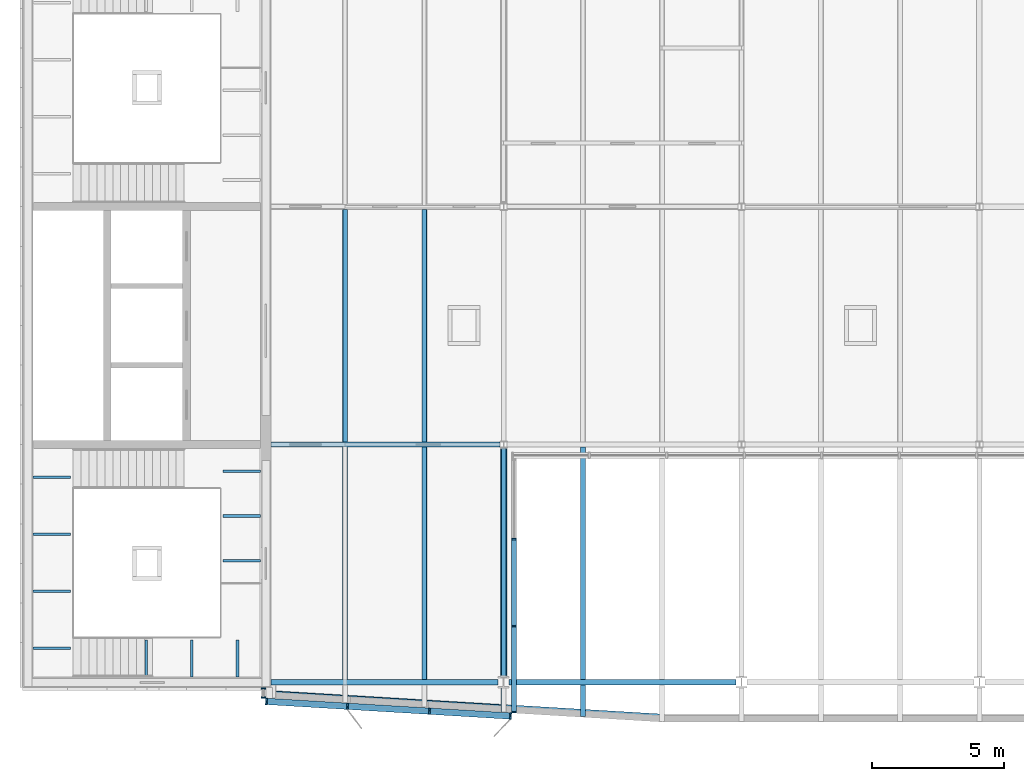
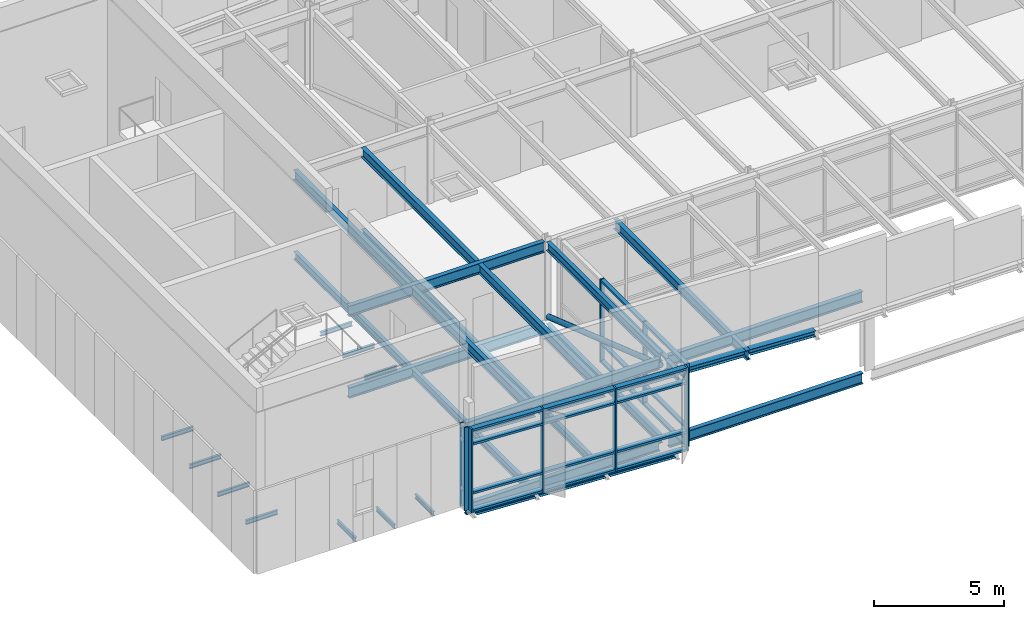
# One storey, part 2 of 23: 37 beams, 30 members, 3 elements without a shape of their own.
"""IFC4 building model written with IfcOpenShell, lengths in metres."""

from ifc_helpers import new_model, si_unit, direction, frame, origin, origin_2d, place, context, subcontext, project, spatial, rectangle, hollow_circle, i_section, extrude, material, material_profile, profile_set, type_object, element, aggregate, save


model = new_model("IFC4")

# Units and contexts
model_context = context("Model", 3, precision=1e-05, world=origin(), true_north=direction((0.0, 1.0)))
body_context = subcontext(model_context, "Body", "Model", "MODEL_VIEW")
ifc_project = project(units=[si_unit("LENGTHUNIT", "METRE"), si_unit("AREAUNIT", "SQUARE_METRE"), si_unit("VOLUMEUNIT", "CUBIC_METRE"), si_unit("PLANEANGLEUNIT", "RADIAN"), si_unit("MASSUNIT", "GRAM", prefix="KILO")], contexts=[model_context])

# Site, building, storey
site_placement = place(None, origin())
site = spatial("IfcSite", under=ifc_project, at=site_placement, CompositionType="ELEMENT")
building_placement = place(site_placement, origin())
building = spatial("IfcBuilding", under=site, at=building_placement, Name="Azimuth Sports and Learning Centre", CompositionType="ELEMENT")
storey_placement = place(building_placement, frame((0.0, 0.0, 75.300048828125)))
storey = spatial("IfcBuildingStorey", under=building, at=storey_placement, Name="L17", CompositionType="ELEMENT", Elevation=75.300048828125)

# Beams
ifc_material_1 = material(Name="Steel S355", Category="steel")
ifc_material_profile_1 = material_profile(ifc_material_1, i_section(OverallWidth=0.10009765625, OverallDepth=0.199951171875, WebThickness=0.005615234375, FlangeThickness=0.008544921875, FilletRadius=0.011962890625, at=origin_2d()), Name="IPE 200")
ifc_profile_set_1 = profile_set([ifc_material_profile_1], Name="Steel S355")
beam_type_1 = type_object("IfcBeamType", Name="Beam IPE 200", PredefinedType="BEAM", material=ifc_profile_set_1)
for number, where, z_axis, x_axis, name in (
    (1, (58.473388671875, 90.199951171875, -0.300048828125), (0.0, 1.0, 0.0), (-1.0, 0.0, 0.0), "Landing bracket W1 L17 169"),
    (2, (60.199951171875, 90.199951171875, -0.300048828125), (0.0, 1.0, 0.0), (-1.0, 0.0, 0.0), "Landing bracket W1 L17 170"),
    (3, (61.9267578125, 90.199951171875, -0.300048828125), (0.0, 1.0, 0.0), (-1.0, 0.0, 0.0), "Landing bracket W1 L17 171"),
    (4, (54.199951171875, 91.288818359375, 1.349853515625), (1.0, 0.0, 0.0), (0.0, 1.0, 0.0), "Landing bracket W1 L17 172"),
    (5, (54.199951171875, 93.4462890625, 1.349853515625), (1.0, 0.0, 0.0), (0.0, 1.0, 0.0), "Landing bracket W1 L17 173"),
    (6, (54.199951171875, 95.603759765625, 1.349853515625), (1.0, 0.0, 0.0), (0.0, 1.0, 0.0), "Landing bracket W1 L17 174"),
    (7, (54.199951171875, 97.76123046875, 1.349853515625), (1.0, 0.0, 0.0), (0.0, 1.0, 0.0), "Landing bracket W1 L17 175"),
    (8, (62.800048828125, 94.598388671875, 3.599853515625), (-1.0, 0.0, 0.0), (0.0, -1.0, 0.0), "Landing bracket W1 L17 176"),
    (9, (62.800048828125, 96.294921875, 3.599853515625), (-1.0, 0.0, 0.0), (0.0, -1.0, 0.0), "Landing bracket W1 L17 177"),
    (10, (62.800048828125, 97.99169921875, 3.599853515625), (-1.0, 0.0, 0.0), (0.0, -1.0, 0.0), "Landing bracket W1 L17 178"),
):
    element("IfcBeam", number, at=place(storey_placement, frame(where, z_axis=z_axis, x_axis=x_axis)), inside=storey, type_object=beam_type_1, Name=name, PredefinedType="BEAM", context=body_context, shape_type="SweptSolid", body=[
        extrude(i_section(OverallWidth=0.10009765625, OverallDepth=0.199951171875, WebThickness=0.005615234375, FlangeThickness=0.008544921875, FilletRadius=0.011962890625, at=origin_2d()), origin(), (0.0, 0.0, 1.0), 1.41015625),
    ])
ifc_material_2 = material(Name="Steel S355", Category="steel")
ifc_material_profile_2 = material_profile(ifc_material_2, i_section(OverallWidth=0.179931640625, OverallDepth=0.39990234375, WebThickness=0.008544921875, FlangeThickness=0.013427734375, FilletRadius=0.02099609375, at=origin_2d()), Name="IPE 400")
ifc_profile_set_2 = profile_set([ifc_material_profile_2], Name="Steel S355")
beam_type_2 = type_object("IfcBeamType", Name="Beam IPE 400", PredefinedType="BEAM", material=ifc_profile_set_2)
for number, where, z_axis, x_axis, name in (
    (11, (72.0, 90.217529296875, -0.330078125), (0.0, 1.0, 0.0), (-1.0, 0.0, 0.0), "Tower tie"),
    (12, (72.0, 90.217529296875, 3.5), (0.0, 1.0, 0.0), (-1.0, 0.0, 0.0), "Roof tie"),
):
    element("IfcBeam", number, at=place(storey_placement, frame(where, z_axis=z_axis, x_axis=x_axis)), inside=storey, type_object=beam_type_2, Name=name, PredefinedType="BEAM", context=body_context, shape_type="SweptSolid", body=[
        extrude(i_section(OverallWidth=0.179931640625, OverallDepth=0.39990234375, WebThickness=0.008544921875, FlangeThickness=0.013427734375, FilletRadius=0.02099609375, at=origin_2d()), origin(), (0.0, 0.0, 1.0), 8.652587890625),
    ])
ifc_material_3 = material(Name="Steel S355", Category="steel")
ifc_material_profile_3 = material_profile(ifc_material_3, i_section(OverallWidth=0.199951171875, OverallDepth=0.5, WebThickness=0.01025390625, FlangeThickness=0.01611328125, FilletRadius=0.02099609375, at=origin_2d()), Name="IPE 500")
ifc_profile_set_3 = profile_set([ifc_material_profile_3], Name="Steel S355")
beam_type_3 = type_object("IfcBeamType", Name="Beam IPE 500", PredefinedType="BEAM", material=ifc_profile_set_3)
beam_1_placement = place(storey_placement, frame((63.199951171875, 90.0, -0.380126953125), z_axis=(1.0, 0.0, 0.0), x_axis=(0.0, 1.0, 0.0)))
element("IfcBeam", 13, at=beam_1_placement, inside=storey, type_object=beam_type_3, Name="Tower girder L17", PredefinedType="BEAM", context=body_context, shape_type="SweptSolid", body=[
    extrude(i_section(OverallWidth=0.199951171875, OverallDepth=0.5, WebThickness=0.01025390625, FlangeThickness=0.01611328125, FilletRadius=0.02099609375, at=origin_2d()), origin(), (0.0, 0.0, 1.0), 8.593994140625),
])
beam_2_placement = place(storey_placement, frame((72.2060546875, 90.0, -0.380126953125), z_axis=(1.0, 0.0, 0.0), x_axis=(0.0, 1.0, 0.0)))
element("IfcBeam", 14, at=beam_2_placement, inside=storey, type_object=beam_type_3, Name="Tower girder L17", PredefinedType="BEAM", context=body_context, shape_type="SweptSolid", body=[
    extrude(i_section(OverallWidth=0.199951171875, OverallDepth=0.5, WebThickness=0.01025390625, FlangeThickness=0.01611328125, FilletRadius=0.02099609375, at=origin_2d()), origin(), (0.0, 0.0, 1.0), 8.587890625),
])
beam_3_placement = place(storey_placement, frame((63.199951171875, 99.0, -0.380126953125), z_axis=(1.0, 0.0, 0.0), x_axis=(0.0, 1.0, 0.0)))
element("IfcBeam", 15, at=beam_3_placement, inside=storey, type_object=beam_type_3, Name="Tower girder L17", PredefinedType="BEAM", context=body_context, shape_type="SweptSolid", body=[
    extrude(i_section(OverallWidth=0.199951171875, OverallDepth=0.5, WebThickness=0.01025390625, FlangeThickness=0.01611328125, FilletRadius=0.02099609375, at=origin_2d()), origin(), (0.0, 0.0, 1.0), 8.670166015625),
])
beam_4_placement = place(storey_placement, frame((63.199951171875, 90.0, 3.449951171875), z_axis=(1.0, 0.0, 0.0), x_axis=(0.0, 1.0, 0.0)))
element("IfcBeam", 16, at=beam_4_placement, inside=storey, type_object=beam_type_3, Name="Roof girder", PredefinedType="BEAM", context=body_context, shape_type="SweptSolid", body=[
    extrude(i_section(OverallWidth=0.199951171875, OverallDepth=0.5, WebThickness=0.01025390625, FlangeThickness=0.01611328125, FilletRadius=0.02099609375, at=origin_2d()), origin(), (0.0, 0.0, 1.0), 8.593994140625),
])
beam_5_placement = place(storey_placement, frame((72.2060546875, 90.0, 3.449951171875), z_axis=(1.0, 0.0, 0.0), x_axis=(0.0, 1.0, 0.0)))
element("IfcBeam", 17, at=beam_5_placement, inside=storey, type_object=beam_type_3, Name="Roof girder", PredefinedType="BEAM", context=body_context, shape_type="SweptSolid", body=[
    extrude(i_section(OverallWidth=0.199951171875, OverallDepth=0.5, WebThickness=0.01025390625, FlangeThickness=0.01611328125, FilletRadius=0.02099609375, at=origin_2d()), origin(), (0.0, 0.0, 1.0), 8.587890625),
])
beam_6_placement = place(storey_placement, frame((63.199951171875, 99.0, 3.449951171875), z_axis=(1.0, 0.0, 0.0), x_axis=(0.0, 1.0, 0.0)))
element("IfcBeam", 18, at=beam_6_placement, inside=storey, type_object=beam_type_3, Name="Roof girder", PredefinedType="BEAM", context=body_context, shape_type="SweptSolid", body=[
    extrude(i_section(OverallWidth=0.199951171875, OverallDepth=0.5, WebThickness=0.01025390625, FlangeThickness=0.01611328125, FilletRadius=0.02099609375, at=origin_2d()), origin(), (0.0, 0.0, 1.0), 8.670166015625),
])

# Member
ifc_material_4 = material(Name="Steel S355", Category="steel")
ifc_material_profile_4 = material_profile(ifc_material_4, hollow_circle(Radius=0.122314453125, WallThickness=0.012451171875, at=origin_2d()), Name="CHS 244.5x12.5")
ifc_profile_set_4 = profile_set([ifc_material_profile_4], Name="Steel S355")
member_type_1 = type_object("IfcMemberType", Name="Brace CHS 244.5x12.5", PredefinedType="BRACE", material=ifc_profile_set_4)
member_1_placement = place(storey_placement, frame((72.0, 90.2373046875, 3.130859375), z_axis=(0.0, 0.945646677599, -0.325195881194), x_axis=(-1.0, 0.0, 0.0)))
element("IfcMember", 19, at=member_1_placement, inside=storey, type_object=member_type_1, Name="Tower brace 9 L17", PredefinedType="BRACE", context=body_context, shape_type="SweptSolid", body=[
    extrude(hollow_circle(Radius=0.122314453125, WallThickness=0.012451171875, at=origin_2d()), origin(), (0.0, 0.0, 1.0), 9.108154296875),
])

# Beams
ifc_material_5 = material(Name="Steel S355", Category="steel")
ifc_material_profile_5 = material_profile(ifc_material_5, i_section(OverallWidth=0.18994140625, OverallDepth=0.449951171875, WebThickness=0.009521484375, FlangeThickness=0.0146484375, FilletRadius=0.02099609375, at=origin_2d()), Name="IPE 450")
ifc_profile_set_5 = profile_set([ifc_material_profile_5], Name="Steel S355")
beam_type_4 = type_object("IfcBeamType", Name="Cantilever stub IPE 450", PredefinedType="JOIST", material=ifc_profile_set_5)
beam_7_placement = place(storey_placement, frame((72.0, 89.782470703125, 3.474853515625), z_axis=(0.0, -1.0, 0.0), x_axis=(1.0, 0.0, 0.0)))
element("IfcBeam", 20, at=beam_7_placement, inside=storey, type_object=beam_type_4, Name="Roof cantilever stub", PredefinedType="JOIST", context=body_context, shape_type="SweptSolid", body=[
    extrude(i_section(OverallWidth=0.18994140625, OverallDepth=0.449951171875, WebThickness=0.009521484375, FlangeThickness=0.0146484375, FilletRadius=0.02099609375, at=origin_2d()), origin(), (0.0, 0.0, 1.0), 0.902587890625),
])
beam_8_placement = place(storey_placement, frame((75.0, 89.89990234375, 3.474853515625), z_axis=(0.0, -1.0, 0.0), x_axis=(1.0, 0.0, 0.0)))
element("IfcBeam", 21, at=beam_8_placement, inside=storey, type_object=beam_type_4, Name="Roof cantilever stub", PredefinedType="JOIST", context=body_context, shape_type="SweptSolid", body=[
    extrude(i_section(OverallWidth=0.18994140625, OverallDepth=0.449951171875, WebThickness=0.009521484375, FlangeThickness=0.0146484375, FilletRadius=0.02099609375, at=origin_2d()), origin(), (0.0, 0.0, 1.0), 1.199951171875),
])
ifc_material_6 = material(Name="Steel S355", Category="steel")
ifc_material_profile_6 = material_profile(ifc_material_6, i_section(OverallWidth=0.260009765625, OverallDepth=0.25, WebThickness=0.007568359375, FlangeThickness=0.012451171875, FilletRadius=0.02392578125, at=origin_2d()), Name="HEA 260")
ifc_profile_set_6 = profile_set([ifc_material_profile_6], Name="Steel S355")
beam_type_5 = type_object("IfcBeamType", Name="Edge beam HEA 260", PredefinedType="SPANDREL", material=ifc_profile_set_6)
beam_9_placement = place(storey_placement, frame((63.3701171875, 89.52783203125, -0.255126953125), z_axis=(0.998201638043, -0.05994572385, 0.0), x_axis=(0.05994572385, 0.998201638043, 0.0)))
element("IfcBeam", 22, at=beam_9_placement, inside=storey, type_object=beam_type_5, Name="Tower edge beam", PredefinedType="SPANDREL", context=body_context, shape_type="SweptSolid", body=[
    extrude(i_section(OverallWidth=0.260009765625, OverallDepth=0.25, WebThickness=0.007568359375, FlangeThickness=0.012451171875, FilletRadius=0.02392578125, at=origin_2d()), origin(), (0.0, 0.0, 1.0), 2.549560546875),
])
for number, where, z_axis, x_axis, name in (
    (23, (66.0849609375, 89.364990234375, -0.255126953125), (0.998202373506, -0.059933475842, 0.0), (0.059933475842, 0.998202373506, 0.0), "Tower edge beam"),
    (24, (69.0849609375, 89.184814453125, -0.255126953125), (0.998207521518, -0.059847673176, 0.0), (0.059847673176, 0.998207521518, 0.0), "Tower edge beam"),
):
    element("IfcBeam", number, at=place(storey_placement, frame(where, z_axis=z_axis, x_axis=x_axis)), inside=storey, type_object=beam_type_5, Name=name, PredefinedType="SPANDREL", context=body_context, shape_type="SweptSolid", body=[
        extrude(i_section(OverallWidth=0.260009765625, OverallDepth=0.25, WebThickness=0.007568359375, FlangeThickness=0.012451171875, FilletRadius=0.02392578125, at=origin_2d()), origin(), (0.0, 0.0, 1.0), 2.835205078125),
    ])
ifc_material_7 = material(Name="Steel S355", Category="steel")
ifc_material_profile_7 = material_profile(ifc_material_7, i_section(OverallWidth=0.280029296875, OverallDepth=0.27001953125, WebThickness=0.008056640625, FlangeThickness=0.012939453125, FilletRadius=0.02392578125, at=origin_2d()), Name="HEA 280")
ifc_profile_set_7 = profile_set([ifc_material_profile_7], Name="Steel S355")
beam_type_6 = type_object("IfcBeamType", Name="Edge beam HEA 280", PredefinedType="SPANDREL", material=ifc_profile_set_7)
beam_10_placement = place(storey_placement, frame((63.389892578125, 89.53662109375, 3.56494140625), z_axis=(0.998205540535, -0.059880705111, 0.0), x_axis=(0.059880705111, 0.998205540535, 0.0)))
element("IfcBeam", 25, at=beam_10_placement, inside=storey, type_object=beam_type_6, Name="Roof edge beam", PredefinedType="SPANDREL", context=body_context, shape_type="SweptSolid", body=[
    extrude(i_section(OverallWidth=0.280029296875, OverallDepth=0.27001953125, WebThickness=0.008056640625, FlangeThickness=0.012939453125, FilletRadius=0.02392578125, at=origin_2d()), origin(), (0.0, 0.0, 1.0), 2.519775390625),
])
for number, where, z_axis, x_axis, name in (
    (26, (66.094970703125, 89.374267578125, 3.56494140625), (0.99820795503, -0.059840442135, 0.0), (0.059840442135, 0.99820795503, 0.0), "Roof edge beam"),
    (27, (69.094970703125, 89.1943359375, 3.56494140625), (0.998202770938, -0.059926856187, 0.0), (0.059926856187, 0.998202770938, 0.0), "Roof edge beam"),
    (28, (72.094970703125, 89.014404296875, 3.56494140625), (0.998202770938, -0.059926856187, 0.0), (0.059926856187, 0.998202770938, 0.0), "Roof edge beam"),
    (29, (75.094970703125, 88.834228515625, 3.56494140625), (0.99820795503, -0.059840442135, 0.0), (0.059840442135, 0.99820795503, 0.0), "Roof edge beam"),
):
    element("IfcBeam", number, at=place(storey_placement, frame(where, z_axis=z_axis, x_axis=x_axis)), inside=storey, type_object=beam_type_6, Name=name, PredefinedType="SPANDREL", context=body_context, shape_type="SweptSolid", body=[
        extrude(i_section(OverallWidth=0.280029296875, OverallDepth=0.27001953125, WebThickness=0.008056640625, FlangeThickness=0.012939453125, FilletRadius=0.02392578125, at=origin_2d()), origin(), (0.0, 0.0, 1.0), 2.815185546875),
    ])
ifc_material_8 = material(Name="Steel S355", Category="steel")
ifc_material_profile_8 = material_profile(ifc_material_8, i_section(OverallWidth=0.169921875, OverallDepth=0.360107421875, WebThickness=0.008056640625, FlangeThickness=0.0126953125, FilletRadius=0.01806640625, at=origin_2d()), Name="IPE 360")
ifc_profile_set_8 = profile_set([ifc_material_profile_8], Name="Steel S355")
beam_type_7 = type_object("IfcBeamType", Name="Joist IPE 360", PredefinedType="JOIST", material=ifc_profile_set_8)
for number, where, z_axis, x_axis, name in (
    (30, (66.0, 90.10009765625, -0.31005859375), (0.0, 1.0, 0.0), (-1.0, 0.0, 0.0), "Tower joist"),
    (31, (66.0, 99.10009765625, -0.31005859375), (0.0, 1.0, 0.0), (-1.0, 0.0, 0.0), "Tower joist"),
    (32, (69.0, 90.10009765625, -0.31005859375), (0.0, 1.0, 0.0), (-1.0, 0.0, 0.0), "Tower joist"),
    (33, (69.0, 99.10009765625, -0.31005859375), (0.0, 1.0, 0.0), (-1.0, 0.0, 0.0), "Tower joist"),
):
    element("IfcBeam", number, at=place(storey_placement, frame(where, z_axis=z_axis, x_axis=x_axis)), inside=storey, type_object=beam_type_7, Name=name, PredefinedType="JOIST", context=body_context, shape_type="SweptSolid", body=[
        extrude(i_section(OverallWidth=0.169921875, OverallDepth=0.360107421875, WebThickness=0.008056640625, FlangeThickness=0.0126953125, FilletRadius=0.01806640625, at=origin_2d()), origin(), (0.0, 0.0, 1.0), 8.7998046875),
    ])
ifc_material_9 = material(Name="Steel S355", Category="steel")
ifc_material_profile_9 = material_profile(ifc_material_9, i_section(OverallWidth=0.18994140625, OverallDepth=0.449951171875, WebThickness=0.009521484375, FlangeThickness=0.0146484375, FilletRadius=0.02099609375, at=origin_2d()), Name="IPE 450")
ifc_profile_set_9 = profile_set([ifc_material_profile_9], Name="Steel S355")
beam_type_8 = type_object("IfcBeamType", Name="Joist IPE 450", PredefinedType="JOIST", material=ifc_profile_set_9)
for number, where, z_axis, x_axis, name in (
    (34, (66.0, 90.10009765625, 3.474853515625), (0.0, 1.0, 0.0), (-1.0, 0.0, 0.0), "Roof joist"),
    (35, (66.0, 99.10009765625, 3.474853515625), (0.0, 1.0, 0.0), (-1.0, 0.0, 0.0), "Roof joist"),
    (36, (69.0, 90.10009765625, 3.474853515625), (0.0, 1.0, 0.0), (-1.0, 0.0, 0.0), "Roof joist"),
    (37, (69.0, 99.10009765625, 3.474853515625), (0.0, 1.0, 0.0), (-1.0, 0.0, 0.0), "Roof joist"),
    (38, (75.0, 90.10009765625, 3.474853515625), (0.0, 1.0, 0.0), (-1.0, 0.0, 0.0), "Roof joist"),
):
    element("IfcBeam", number, at=place(storey_placement, frame(where, z_axis=z_axis, x_axis=x_axis)), inside=storey, type_object=beam_type_8, Name=name, PredefinedType="JOIST", context=body_context, shape_type="SweptSolid", body=[
        extrude(i_section(OverallWidth=0.18994140625, OverallDepth=0.449951171875, WebThickness=0.009521484375, FlangeThickness=0.0146484375, FilletRadius=0.02099609375, at=origin_2d()), origin(), (0.0, 0.0, 1.0), 8.7998046875),
    ])

# Curtain wall, members
ifc_material_10 = material(Name="Aluminium and glass", Category="aluminium")
curtain_wall_type_1 = type_object("IfcCurtainWallType", Name="Curtain wall tower return 180", PredefinedType="NOTDEFINED", material=ifc_material_10)
curtain_wall_1_placement = place(storey_placement, origin())
curtain_wall_1 = element("IfcCurtainWall", 39, at=curtain_wall_1_placement, inside=storey, type_object=curtain_wall_type_1, Name="Curtain wall CW17-001", PredefinedType="NOTDEFINED")
ifc_material_11 = material(Name="Aluminium", Category="aluminium")
ifc_material_profile_10 = material_profile(ifc_material_11, rectangle(XDim=0.179931640625, YDim=0.06005859375, at=origin_2d()), Name="Mullion 60x180")
ifc_profile_set_10 = profile_set([ifc_material_profile_10], Name="Aluminium")
member_type_2 = type_object("IfcMemberType", Name="Mullion 60x180", PredefinedType="MULLION", material=ifc_profile_set_10)
member_2_placement = place(storey_placement, frame((62.909912109375, 89.77001953125, 0.0), z_axis=(0.0, 0.0, 1.0), x_axis=(1.0, 0.0, 0.0)))
member_2 = element("IfcMember", 40, at=member_2_placement, type_object=member_type_2, Name="CW17-001 mullion 1", PredefinedType="MULLION", context=body_context, shape_type="SweptSolid", body=[
    extrude(rectangle(XDim=0.179931640625, YDim=0.06005859375, at=origin_2d()), origin(), (0.0, 0.0, 1.0), 3.89990234375),
])
member_3_placement = place(storey_placement, frame((62.909912109375, 89.429931640625, 0.0), z_axis=(0.0, 0.0, 1.0), x_axis=(1.0, 0.0, 0.0)))
member_3 = element("IfcMember", 41, at=member_3_placement, type_object=member_type_2, Name="CW17-001 mullion 2", PredefinedType="MULLION", context=body_context, shape_type="SweptSolid", body=[
    extrude(rectangle(XDim=0.179931640625, YDim=0.06005859375, at=origin_2d()), origin(), (0.0, 0.0, 1.0), 3.89990234375),
])
aggregate(curtain_wall_1, [member_2, member_3])

curtain_wall_2_placement = place(storey_placement, origin())
curtain_wall_2 = element("IfcCurtainWall", 42, at=curtain_wall_2_placement, inside=storey, type_object=curtain_wall_type_1, Name="Curtain wall CW17-003", PredefinedType="NOTDEFINED")
member_4_placement = place(storey_placement, frame((72.389892578125, 88.8720703125, 0.0), z_axis=(0.0, 0.0, 1.0), x_axis=(-1.0, 0.0, 0.0)))
member_4 = element("IfcMember", 43, at=member_4_placement, type_object=member_type_2, Name="CW17-003 mullion 1", PredefinedType="MULLION", context=body_context, shape_type="SweptSolid", body=[
    extrude(rectangle(XDim=0.179931640625, YDim=0.06005859375, at=origin_2d()), origin(), (0.0, 0.0, 1.0), 3.89990234375),
])
member_5_placement = place(storey_placement, frame((72.389892578125, 92.1279296875, 0.0), z_axis=(0.0, 0.0, 1.0), x_axis=(-1.0, 0.0, 0.0)))
member_5 = element("IfcMember", 44, at=member_5_placement, type_object=member_type_2, Name="CW17-003 mullion 2", PredefinedType="MULLION", context=body_context, shape_type="SweptSolid", body=[
    extrude(rectangle(XDim=0.179931640625, YDim=0.06005859375, at=origin_2d()), origin(), (0.0, 0.0, 1.0), 3.89990234375),
])
member_6_placement = place(storey_placement, frame((72.389892578125, 95.4140625, 0.0), z_axis=(0.0, 0.0, 1.0), x_axis=(-1.0, 0.0, 0.0)))
member_6 = element("IfcMember", 45, at=member_6_placement, type_object=member_type_2, Name="CW17-003 mullion 3", PredefinedType="MULLION", context=body_context, shape_type="SweptSolid", body=[
    extrude(rectangle(XDim=0.179931640625, YDim=0.06005859375, at=origin_2d()), origin(), (0.0, 0.0, 1.0), 3.89990234375),
])

ifc_material_12 = material(Name="Aluminium and glass", Category="aluminium")
curtain_wall_type_2 = type_object("IfcCurtainWallType", Name="Curtain wall tower south 240", PredefinedType="NOTDEFINED", material=ifc_material_12)
curtain_wall_3_placement = place(storey_placement, origin())
curtain_wall_3 = element("IfcCurtainWall", 46, at=curtain_wall_3_placement, inside=storey, type_object=curtain_wall_type_2, Name="Curtain wall CW17-002", PredefinedType="NOTDEFINED")
ifc_material_13 = material(Name="Aluminium", Category="aluminium")
ifc_material_profile_11 = material_profile(ifc_material_13, rectangle(XDim=0.239990234375, YDim=0.070068359375, at=origin_2d()), Name="Mullion 70x240")
ifc_profile_set_11 = profile_set([ifc_material_profile_11], Name="Aluminium")
member_type_3 = type_object("IfcMemberType", Name="Mullion 70x240", PredefinedType="MULLION", material=ifc_profile_set_11)
member_7_placement = place(storey_placement, frame((63.02783203125, 89.278076171875, 0.0), z_axis=(0.0, 0.0, 1.0), x_axis=(0.059891991812, 0.998204863401, 0.0)))
member_7 = element("IfcMember", 47, at=member_7_placement, type_object=member_type_3, Name="CW17-002 mullion 1", PredefinedType="MULLION", context=body_context, shape_type="SweptSolid", body=[
    extrude(rectangle(XDim=0.239990234375, YDim=0.070068359375, at=origin_2d()), origin(), (0.0, 0.0, 1.0), 3.89990234375),
])
member_8_placement = place(storey_placement, frame((66.0927734375, 89.09423828125, 0.0), z_axis=(0.0, 0.0, 1.0), x_axis=(0.059891991812, 0.998204863401, 0.0)))
member_8 = element("IfcMember", 48, at=member_8_placement, type_object=member_type_3, Name="CW17-002 mullion 2", PredefinedType="MULLION", context=body_context, shape_type="SweptSolid", body=[
    extrude(rectangle(XDim=0.239990234375, YDim=0.070068359375, at=origin_2d()), origin(), (0.0, 0.0, 1.0), 3.89990234375),
])
member_9_placement = place(storey_placement, frame((69.19287109375, 88.908203125, 0.0), z_axis=(0.0, 0.0, 1.0), x_axis=(0.059891991812, 0.998204863401, 0.0)))
member_9 = element("IfcMember", 49, at=member_9_placement, type_object=member_type_3, Name="CW17-002 mullion 3", PredefinedType="MULLION", context=body_context, shape_type="SweptSolid", body=[
    extrude(rectangle(XDim=0.239990234375, YDim=0.070068359375, at=origin_2d()), origin(), (0.0, 0.0, 1.0), 3.89990234375),
])
member_10_placement = place(storey_placement, frame((72.2578125, 88.724365234375, 0.0), z_axis=(0.0, 0.0, 1.0), x_axis=(0.059891991812, 0.998204863401, 0.0)))
member_10 = element("IfcMember", 50, at=member_10_placement, type_object=member_type_3, Name="CW17-002 mullion 4", PredefinedType="MULLION", context=body_context, shape_type="SweptSolid", body=[
    extrude(rectangle(XDim=0.239990234375, YDim=0.070068359375, at=origin_2d()), origin(), (0.0, 0.0, 1.0), 3.89990234375),
])

# Member
ifc_material_14 = material(Name="Aluminium", Category="aluminium")
ifc_material_profile_12 = material_profile(ifc_material_14, rectangle(XDim=0.179931640625, YDim=0.10009765625, at=origin_2d()), Name="Transom 100x180")
ifc_profile_set_12 = profile_set([ifc_material_profile_12], Name="Aluminium")
member_type_4 = type_object("IfcMemberType", Name="Transom 100x180", PredefinedType="USERDEFINED", material=ifc_profile_set_12)
member_11_placement = place(storey_placement, frame((72.389892578125, 88.902099609375, 0.050048828125), z_axis=(0.0, 1.0, 0.0), x_axis=(-1.0, 0.0, 0.0)))
member_11 = element("IfcMember", 51, at=member_11_placement, type_object=member_type_4, Name="CW17-003 transom 1.1", ObjectType="TRANSOM", PredefinedType="USERDEFINED", context=body_context, shape_type="SweptSolid", body=[
    extrude(rectangle(XDim=0.179931640625, YDim=0.10009765625, at=origin_2d()), origin(), (0.0, 0.0, 1.0), 3.19580078125),
])

member_12_placement = place(storey_placement, frame((72.389892578125, 88.902099609375, 0.89990234375), z_axis=(0.0, 1.0, 0.0), x_axis=(-1.0, 0.0, 0.0)))
member_12 = element("IfcMember", 52, at=member_12_placement, type_object=member_type_4, Name="CW17-003 transom 1.2", ObjectType="TRANSOM", PredefinedType="USERDEFINED", context=body_context, shape_type="SweptSolid", body=[
    extrude(rectangle(XDim=0.179931640625, YDim=0.10009765625, at=origin_2d()), origin(), (0.0, 0.0, 1.0), 3.19580078125),
])

member_13_placement = place(storey_placement, frame((72.389892578125, 88.902099609375, 3.199951171875), z_axis=(0.0, 1.0, 0.0), x_axis=(-1.0, 0.0, 0.0)))
member_13 = element("IfcMember", 53, at=member_13_placement, type_object=member_type_4, Name="CW17-003 transom 1.3", ObjectType="TRANSOM", PredefinedType="USERDEFINED", context=body_context, shape_type="SweptSolid", body=[
    extrude(rectangle(XDim=0.179931640625, YDim=0.10009765625, at=origin_2d()), origin(), (0.0, 0.0, 1.0), 3.19580078125),
])

member_14_placement = place(storey_placement, frame((72.389892578125, 88.902099609375, 3.849853515625), z_axis=(0.0, 1.0, 0.0), x_axis=(-1.0, 0.0, 0.0)))
member_14 = element("IfcMember", 54, at=member_14_placement, type_object=member_type_4, Name="CW17-003 transom 1.4", ObjectType="TRANSOM", PredefinedType="USERDEFINED", context=body_context, shape_type="SweptSolid", body=[
    extrude(rectangle(XDim=0.179931640625, YDim=0.10009765625, at=origin_2d()), origin(), (0.0, 0.0, 1.0), 3.19580078125),
])

member_15_placement = place(storey_placement, frame((72.389892578125, 92.157958984375, 0.050048828125), z_axis=(0.0, 1.0, 0.0), x_axis=(-1.0, 0.0, 0.0)))
member_15 = element("IfcMember", 55, at=member_15_placement, type_object=member_type_4, Name="CW17-003 transom 2.1", ObjectType="TRANSOM", PredefinedType="USERDEFINED", context=body_context, shape_type="SweptSolid", body=[
    extrude(rectangle(XDim=0.179931640625, YDim=0.10009765625, at=origin_2d()), origin(), (0.0, 0.0, 1.0), 3.22607421875),
])

member_16_placement = place(storey_placement, frame((72.389892578125, 92.157958984375, 0.89990234375), z_axis=(0.0, 1.0, 0.0), x_axis=(-1.0, 0.0, 0.0)))
member_16 = element("IfcMember", 56, at=member_16_placement, type_object=member_type_4, Name="CW17-003 transom 2.2", ObjectType="TRANSOM", PredefinedType="USERDEFINED", context=body_context, shape_type="SweptSolid", body=[
    extrude(rectangle(XDim=0.179931640625, YDim=0.10009765625, at=origin_2d()), origin(), (0.0, 0.0, 1.0), 3.22607421875),
])

member_17_placement = place(storey_placement, frame((72.389892578125, 92.157958984375, 3.199951171875), z_axis=(0.0, 1.0, 0.0), x_axis=(-1.0, 0.0, 0.0)))
member_17 = element("IfcMember", 57, at=member_17_placement, type_object=member_type_4, Name="CW17-003 transom 2.3", ObjectType="TRANSOM", PredefinedType="USERDEFINED", context=body_context, shape_type="SweptSolid", body=[
    extrude(rectangle(XDim=0.179931640625, YDim=0.10009765625, at=origin_2d()), origin(), (0.0, 0.0, 1.0), 3.22607421875),
])

member_18_placement = place(storey_placement, frame((72.389892578125, 92.157958984375, 3.849853515625), z_axis=(0.0, 1.0, 0.0), x_axis=(-1.0, 0.0, 0.0)))
member_18 = element("IfcMember", 58, at=member_18_placement, type_object=member_type_4, Name="CW17-003 transom 2.4", ObjectType="TRANSOM", PredefinedType="USERDEFINED", context=body_context, shape_type="SweptSolid", body=[
    extrude(rectangle(XDim=0.179931640625, YDim=0.10009765625, at=origin_2d()), origin(), (0.0, 0.0, 1.0), 3.22607421875),
])

aggregate(curtain_wall_2, [member_4, member_5, member_6, member_11, member_12, member_13, member_14, member_15, member_16, member_17, member_18])

ifc_material_15 = material(Name="Aluminium", Category="aluminium")
ifc_material_profile_13 = material_profile(ifc_material_15, rectangle(XDim=0.239990234375, YDim=0.10009765625, at=origin_2d()), Name="Transom 100x240")
ifc_profile_set_13 = profile_set([ifc_material_profile_13], Name="Aluminium")
member_type_5 = type_object("IfcMemberType", Name="Transom 100x240", PredefinedType="USERDEFINED", material=ifc_profile_set_13)
member_19_placement = place(storey_placement, frame((63.062744140625, 89.276123046875, 0.050048828125), z_axis=(0.998200367377, -0.059966878934, 0.0), x_axis=(0.059966878934, 0.998200367377, 0.0)))
member_19 = element("IfcMember", 59, at=member_19_placement, type_object=member_type_5, Name="CW17-002 transom 1.1", ObjectType="TRANSOM", PredefinedType="USERDEFINED", context=body_context, shape_type="SweptSolid", body=[
    extrude(rectangle(XDim=0.239990234375, YDim=0.10009765625, at=origin_2d()), origin(), (0.0, 0.0, 1.0), 3.00048828125),
])

member_20_placement = place(storey_placement, frame((63.062744140625, 89.276123046875, 0.89990234375), z_axis=(0.998200367377, -0.059966878934, 0.0), x_axis=(0.059966878934, 0.998200367377, 0.0)))
member_20 = element("IfcMember", 60, at=member_20_placement, type_object=member_type_5, Name="CW17-002 transom 1.2", ObjectType="TRANSOM", PredefinedType="USERDEFINED", context=body_context, shape_type="SweptSolid", body=[
    extrude(rectangle(XDim=0.239990234375, YDim=0.10009765625, at=origin_2d()), origin(), (0.0, 0.0, 1.0), 3.00048828125),
])

member_21_placement = place(storey_placement, frame((63.062744140625, 89.276123046875, 3.199951171875), z_axis=(0.998200367377, -0.059966878934, 0.0), x_axis=(0.059966878934, 0.998200367377, 0.0)))
member_21 = element("IfcMember", 61, at=member_21_placement, type_object=member_type_5, Name="CW17-002 transom 1.3", ObjectType="TRANSOM", PredefinedType="USERDEFINED", context=body_context, shape_type="SweptSolid", body=[
    extrude(rectangle(XDim=0.239990234375, YDim=0.10009765625, at=origin_2d()), origin(), (0.0, 0.0, 1.0), 3.00048828125),
])

member_22_placement = place(storey_placement, frame((63.062744140625, 89.276123046875, 3.849853515625), z_axis=(0.998200367377, -0.059966878934, 0.0), x_axis=(0.059966878934, 0.998200367377, 0.0)))
member_22 = element("IfcMember", 62, at=member_22_placement, type_object=member_type_5, Name="CW17-002 transom 1.4", ObjectType="TRANSOM", PredefinedType="USERDEFINED", context=body_context, shape_type="SweptSolid", body=[
    extrude(rectangle(XDim=0.239990234375, YDim=0.10009765625, at=origin_2d()), origin(), (0.0, 0.0, 1.0), 3.00048828125),
])

member_23_placement = place(storey_placement, frame((66.127685546875, 89.092041015625, 0.050048828125), z_axis=(0.998208305603, -0.05983459389, 0.0), x_axis=(0.05983459389, 0.998208305603, 0.0)))
member_23 = element("IfcMember", 63, at=member_23_placement, type_object=member_type_5, Name="CW17-002 transom 2.1", ObjectType="TRANSOM", PredefinedType="USERDEFINED", context=body_context, shape_type="SweptSolid", body=[
    extrude(rectangle(XDim=0.239990234375, YDim=0.10009765625, at=origin_2d()), origin(), (0.0, 0.0, 1.0), 3.03564453125),
])

member_24_placement = place(storey_placement, frame((66.127685546875, 89.092041015625, 0.89990234375), z_axis=(0.998208305603, -0.05983459389, 0.0), x_axis=(0.05983459389, 0.998208305603, 0.0)))
member_24 = element("IfcMember", 64, at=member_24_placement, type_object=member_type_5, Name="CW17-002 transom 2.2", ObjectType="TRANSOM", PredefinedType="USERDEFINED", context=body_context, shape_type="SweptSolid", body=[
    extrude(rectangle(XDim=0.239990234375, YDim=0.10009765625, at=origin_2d()), origin(), (0.0, 0.0, 1.0), 3.03564453125),
])

member_25_placement = place(storey_placement, frame((66.127685546875, 89.092041015625, 3.199951171875), z_axis=(0.998208305603, -0.05983459389, 0.0), x_axis=(0.05983459389, 0.998208305603, 0.0)))
member_25 = element("IfcMember", 65, at=member_25_placement, type_object=member_type_5, Name="CW17-002 transom 2.3", ObjectType="TRANSOM", PredefinedType="USERDEFINED", context=body_context, shape_type="SweptSolid", body=[
    extrude(rectangle(XDim=0.239990234375, YDim=0.10009765625, at=origin_2d()), origin(), (0.0, 0.0, 1.0), 3.03564453125),
])

member_26_placement = place(storey_placement, frame((66.127685546875, 89.092041015625, 3.849853515625), z_axis=(0.998208305603, -0.05983459389, 0.0), x_axis=(0.05983459389, 0.998208305603, 0.0)))
member_26 = element("IfcMember", 66, at=member_26_placement, type_object=member_type_5, Name="CW17-002 transom 2.4", ObjectType="TRANSOM", PredefinedType="USERDEFINED", context=body_context, shape_type="SweptSolid", body=[
    extrude(rectangle(XDim=0.239990234375, YDim=0.10009765625, at=origin_2d()), origin(), (0.0, 0.0, 1.0), 3.03564453125),
])

member_27_placement = place(storey_placement, frame((69.227783203125, 88.906005859375, 0.050048828125), z_axis=(0.998205234603, -0.05988580475, 0.0), x_axis=(0.05988580475, 0.998205234603, 0.0)))
member_27 = element("IfcMember", 67, at=member_27_placement, type_object=member_type_5, Name="CW17-002 transom 3.1", ObjectType="TRANSOM", PredefinedType="USERDEFINED", context=body_context, shape_type="SweptSolid", body=[
    extrude(rectangle(XDim=0.239990234375, YDim=0.10009765625, at=origin_2d()), origin(), (0.0, 0.0, 1.0), 3.00048828125),
])

member_28_placement = place(storey_placement, frame((69.227783203125, 88.906005859375, 0.89990234375), z_axis=(0.998205234603, -0.05988580475, 0.0), x_axis=(0.05988580475, 0.998205234603, 0.0)))
member_28 = element("IfcMember", 68, at=member_28_placement, type_object=member_type_5, Name="CW17-002 transom 3.2", ObjectType="TRANSOM", PredefinedType="USERDEFINED", context=body_context, shape_type="SweptSolid", body=[
    extrude(rectangle(XDim=0.239990234375, YDim=0.10009765625, at=origin_2d()), origin(), (0.0, 0.0, 1.0), 3.00048828125),
])

member_29_placement = place(storey_placement, frame((69.227783203125, 88.906005859375, 3.199951171875), z_axis=(0.998205234603, -0.05988580475, 0.0), x_axis=(0.05988580475, 0.998205234603, 0.0)))
member_29 = element("IfcMember", 69, at=member_29_placement, type_object=member_type_5, Name="CW17-002 transom 3.3", ObjectType="TRANSOM", PredefinedType="USERDEFINED", context=body_context, shape_type="SweptSolid", body=[
    extrude(rectangle(XDim=0.239990234375, YDim=0.10009765625, at=origin_2d()), origin(), (0.0, 0.0, 1.0), 3.00048828125),
])

member_30_placement = place(storey_placement, frame((69.227783203125, 88.906005859375, 3.849853515625), z_axis=(0.998205234603, -0.05988580475, 0.0), x_axis=(0.05988580475, 0.998205234603, 0.0)))
member_30 = element("IfcMember", 70, at=member_30_placement, type_object=member_type_5, Name="CW17-002 transom 3.4", ObjectType="TRANSOM", PredefinedType="USERDEFINED", context=body_context, shape_type="SweptSolid", body=[
    extrude(rectangle(XDim=0.239990234375, YDim=0.10009765625, at=origin_2d()), origin(), (0.0, 0.0, 1.0), 3.00048828125),
])

aggregate(curtain_wall_3, [member_7, member_8, member_9, member_10, member_19, member_20, member_21, member_22, member_23, member_24, member_25, member_26, member_27, member_28, member_29, member_30])

save(model, "model.ifc")
